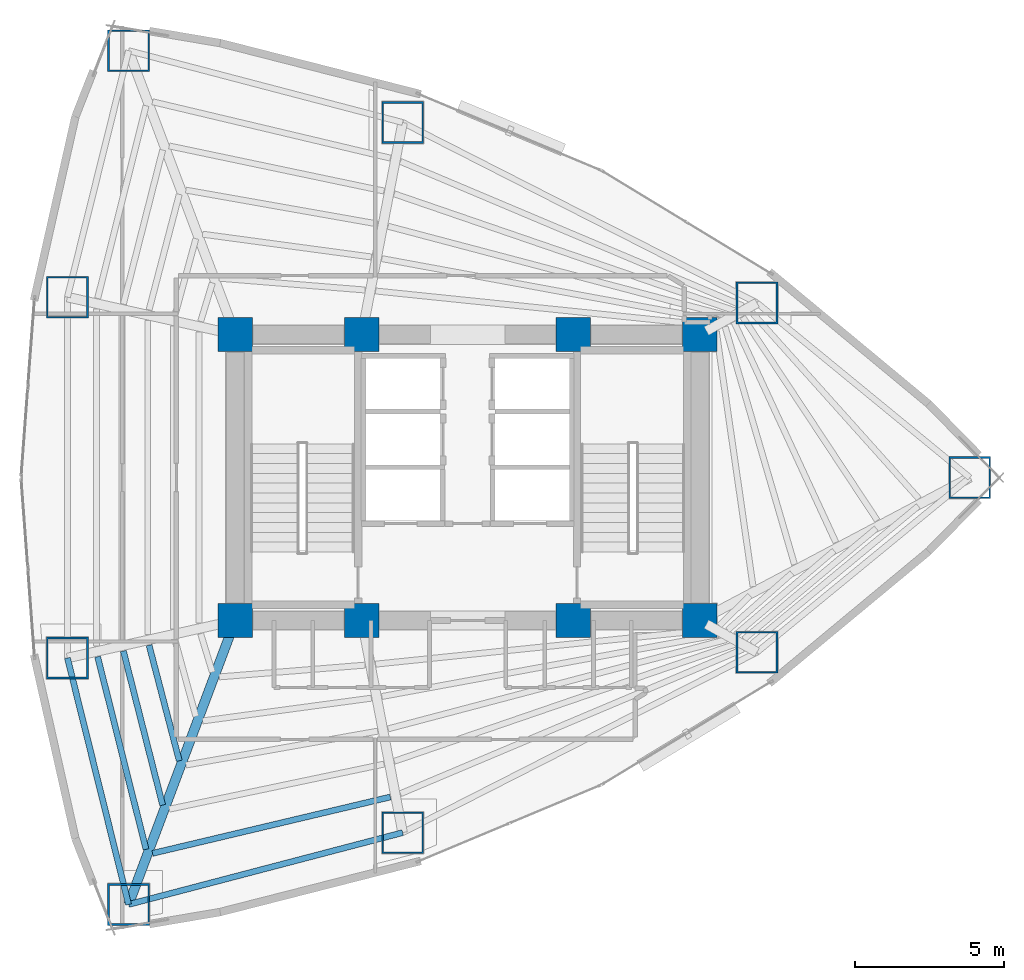
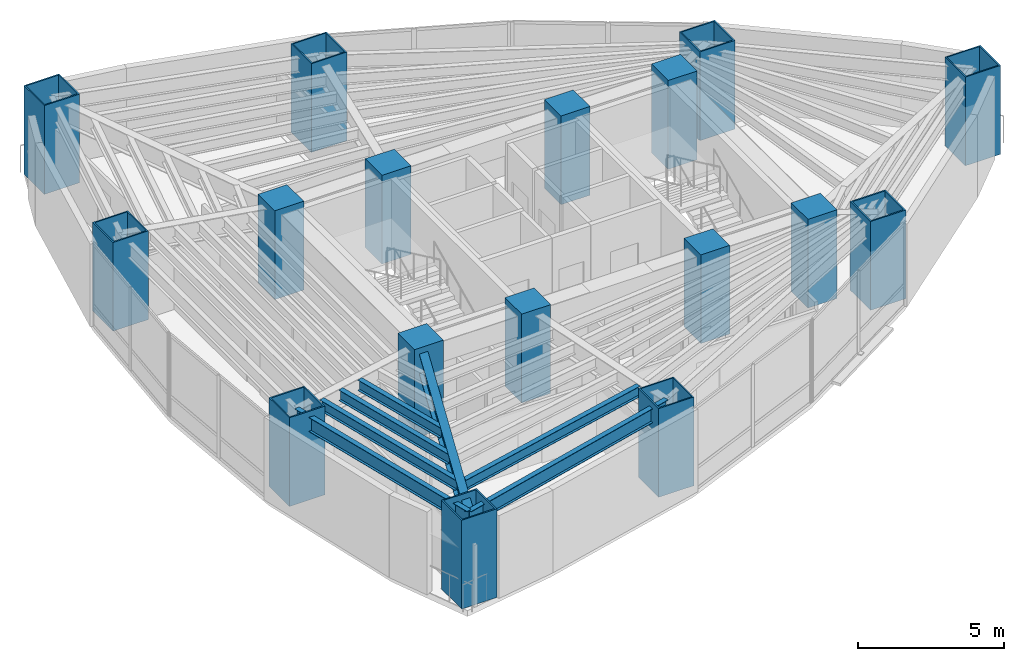
# One storey, part 1 of 17: 17 columns, 7 beams.
"""IFC4 building model written with IfcOpenShell, lengths in metres."""

import ifcopenshell
import ifcopenshell.guid

model = None  # the IFC model being written
_history = None  # IfcOwnerHistory: only IFC2X3 demands one
_inside = {}  # id of a spatial element -> (the spatial element, [elements in it])
_under = {}  # id of a project, library or spatial element -> (it, [spatial elements below it])
_declared = {}  # id of a project -> (the project, [libraries it declares])
_typed = {}  # id of a type object -> (the type object, [elements of that type])
_made_of = {}  # id of a material, layer set ... -> (it, [elements and type objects made of it])


def new_model(schema):
    """Start an empty IFC model of exactly this schema.

    Asked for "IFC4X3", IfcOpenShell would pick the latest addendum, in which some entities
    have other attributes; the version numbers below select the first issue.
    IFC2X3 requires an IfcOwnerHistory on every rooted entity: one is made here for all.
    """
    global model, _history
    if schema == "IFC4X3":
        model = ifcopenshell.file(schema_version=(4, 3, 0, 0))
    else:
        model = ifcopenshell.file(schema=schema)
    _inside.clear()
    _under.clear()
    _declared.clear()
    _typed.clear()
    _made_of.clear()
    _history = None
    if model.schema == "IFC2X3":
        org = make("IfcOrganization", Name="unknown")
        user = make(
            "IfcPersonAndOrganization",
            ThePerson=make("IfcPerson", FamilyName="unknown"),
            TheOrganization=org,
        )
        app = make(
            "IfcApplication",
            ApplicationDeveloper=org,
            Version="unknown",
            ApplicationFullName="unknown",
            ApplicationIdentifier="unknown",
        )
        _history = make(
            "IfcOwnerHistory",
            OwningUser=user,
            OwningApplication=app,
            ChangeAction="ADDED",
            CreationDate=0,
        )
    return model


def make(cls, **values):
    """One entity of the class cls with the attributes given. An attribute that is None is left unset."""
    return model.create_entity(
        cls, **{name: value for name, value in values.items() if value is not None}
    )


def rooted(cls, **values):
    """An entity with a GlobalId (a new one), such as an element, a storey or a relation."""
    return make(cls, GlobalId=ifcopenshell.guid.new(), OwnerHistory=_history, **values)


def si_unit(unit_type, name, prefix=None):
    """IfcSIUnit, for example si_unit("LENGTHUNIT", "METRE", prefix="MILLI")."""
    return make("IfcSIUnit", UnitType=unit_type, Prefix=prefix, Name=name)


def assignment(units):
    """IfcUnitAssignment: the units of a project."""
    return None if units is None else make("IfcUnitAssignment", Units=units)


def point(xyz):
    """IfcCartesianPoint."""
    return None if xyz is None else make("IfcCartesianPoint", Coordinates=xyz)


def direction(xyz):
    """IfcDirection."""
    return None if xyz is None else make("IfcDirection", DirectionRatios=xyz)


def frame(location, z_axis=None, x_axis=None):
    """IfcAxis2Placement3D, a coordinate frame: its origin and axes. An axis left out is left unset."""
    return make(
        "IfcAxis2Placement3D",
        Location=point(location),
        Axis=direction(z_axis),
        RefDirection=direction(x_axis),
    )


def frame_2d(location, x_axis=None):
    """IfcAxis2Placement2D, a coordinate frame in the plane: its origin and x axis."""
    return make(
        "IfcAxis2Placement2D", Location=point(location), RefDirection=direction(x_axis)
    )


def origin():
    """The frame at (0, 0, 0) with its axes left unset."""
    return frame((0.0, 0.0, 0.0))


def origin_2d():
    """The frame at (0, 0) in the plane with its x axis left unset."""
    return frame_2d((0.0, 0.0))


def place(relative_to, where):
    """IfcLocalPlacement: puts the frame where relative to a parent placement (None: the world)."""
    return make(
        "IfcLocalPlacement", PlacementRelTo=relative_to, RelativePlacement=where
    )


def context(
    kind, dimensions, precision=None, world=None, true_north=None, identifier=None
):
    """IfcGeometricRepresentationContext, for example the 3D "Model" context."""
    return make(
        "IfcGeometricRepresentationContext",
        ContextIdentifier=identifier,
        ContextType=kind,
        CoordinateSpaceDimension=dimensions,
        Precision=precision,
        WorldCoordinateSystem=world,
        TrueNorth=true_north,
    )


def subcontext(parent, identifier, kind, view, scale=None):
    """IfcGeometricRepresentationSubContext, for example "Body" below "Model"."""
    return make(
        "IfcGeometricRepresentationSubContext",
        ContextIdentifier=identifier,
        ContextType=kind,
        ParentContext=parent,
        TargetScale=scale,
        TargetView=view,
    )


def project(units=None, contexts=None):
    """IfcProject with its units and contexts."""
    return rooted(
        "IfcProject",
        Name="project",
        RepresentationContexts=contexts,
        UnitsInContext=assignment(units),
    )


def spatial(cls, under=None, at=None, **own):
    """A site, building, storey or space (cls), placed at a placement, below another one or the project."""
    s = rooted(cls, ObjectPlacement=at, **own)
    if under is not None:
        _under.setdefault(under.id(), (under, []))[1].append(s)
    return s


def profile(cls, at=None, kind="AREA", **sizes):
    """A parametric profile (cls). Its sizes go by their IFC names, for example OverallWidth=200.0."""
    return make(cls, ProfileType=kind, Position=at, **sizes)


def rectangle(**sizes):
    """IfcRectangleProfileDef."""
    return profile("IfcRectangleProfileDef", **sizes)


def hollow_rectangle(**sizes):
    """IfcRectangleHollowProfileDef."""
    return profile("IfcRectangleHollowProfileDef", **sizes)


def i_section(**sizes):
    """IfcIShapeProfileDef."""
    return profile("IfcIShapeProfileDef", **sizes)


def extrude(swept, where, along, depth):
    """IfcExtrudedAreaSolid: the profile swept, set in the frame where, extruded along a direction by depth."""
    return make(
        "IfcExtrudedAreaSolid",
        SweptArea=swept,
        Position=where,
        ExtrudedDirection=direction(along),
        Depth=depth,
    )


def shape(context_of_items, identifier, shape_type, items):
    """IfcShapeRepresentation: the items that make up one representation, for example the "Body"."""
    return make(
        "IfcShapeRepresentation",
        ContextOfItems=context_of_items,
        RepresentationIdentifier=identifier,
        RepresentationType=shape_type,
        Items=items,
    )


def material(Name=None, Category=None):
    """IfcMaterial."""
    return make("IfcMaterial", Name=Name, Category=Category)


def material_profile(
    of_material, cross_section, Name=None, Category=None, Priority=None
):
    """IfcMaterialProfile: a cross section and its material."""
    return make(
        "IfcMaterialProfile",
        Name=Name,
        Material=of_material,
        Profile=cross_section,
        Priority=Priority,
        Category=Category,
    )


def profile_set(profiles, Name=None, composite=None):
    """IfcMaterialProfileSet."""
    return make(
        "IfcMaterialProfileSet",
        Name=Name,
        MaterialProfiles=profiles,
        CompositeProfile=composite,
    )


def made_of(thing, what):
    """Note that an element or type object is made of a material, layer set ...; save() writes the relation."""
    if what is not None:
        _made_of.setdefault(what.id(), (what, []))[1].append(thing)
    return thing


def type_object(cls, material=None, **own):
    """A type object (cls), such as IfcWallType, which elements share."""
    return made_of(rooted(cls, **own), material)


def element(
    cls,
    number,
    at=None,
    inside=None,
    cuts=None,
    type_object=None,
    material=None,
    context=None,
    identifier="Body",
    shape_type=None,
    held_by="IfcProductDefinitionShape",
    body=None,
    shapes=None,
    **own,
):
    """One element of the class cls, such as IfcWall. Its Tag is "e" and its number.

    at: its placement. inside: the storey or other place that contains it. cuts: it is an
    opening in that element (IfcRelVoidsElement). A single representation is given by context,
    identifier, shape_type and body (its items); several are given by shapes. held_by: the class
    of the entity that holds the representations. save() writes the other relations.
    """
    e = rooted(cls, Tag="e%d" % number, ObjectPlacement=at, **own)
    if body is not None:
        shapes = [shape(context, identifier, shape_type, body)]
    if shapes is not None:
        e.Representation = make(held_by, Representations=shapes)
    if inside is not None:
        _inside.setdefault(inside.id(), (inside, []))[1].append(e)
    if cuts is not None:
        rooted(
            "IfcRelVoidsElement", RelatingBuildingElement=cuts, RelatedOpeningElement=e
        )
    if type_object is not None:
        _typed.setdefault(type_object.id(), (type_object, []))[1].append(e)
    return made_of(e, material)


def aggregate(whole, parts):
    """IfcRelAggregates: a whole, such as a stair, and the parts it consists of."""
    return rooted("IfcRelAggregates", RelatingObject=whole, RelatedObjects=parts)


def save(model, path):
    """Write the relations noted so far, then the file.

    IfcRelAggregates (storeys below a building ...), IfcRelContainedInSpatialStructure (elements
    in a storey), IfcRelDefinesByType, IfcRelAssociatesMaterial and IfcRelDeclares: one each for
    every whole, place, type object, material and project.
    """
    for whole, parts in _under.values():
        aggregate(whole, parts)
    for where, things in _inside.values():
        rooted(
            "IfcRelContainedInSpatialStructure",
            RelatedElements=things,
            RelatingStructure=where,
        )
    for kind, things in _typed.values():
        rooted("IfcRelDefinesByType", RelatedObjects=things, RelatingType=kind)
    for what, things in _made_of.values():
        rooted("IfcRelAssociatesMaterial", RelatedObjects=things, RelatingMaterial=what)
    for by, libraries in _declared.values():
        rooted("IfcRelDeclares", RelatingContext=by, RelatedDefinitions=libraries)
    model.write(path)


model = new_model("IFC4")

# Units and contexts
model_context = context("Model", 3, precision=1e-05, world=origin(), true_north=direction((0.0, 1.0)))
body_context = subcontext(model_context, "Body", "Model", "MODEL_VIEW")
ifc_project = project(units=[si_unit("LENGTHUNIT", "METRE"), si_unit("AREAUNIT", "SQUARE_METRE"), si_unit("VOLUMEUNIT", "CUBIC_METRE"), si_unit("PLANEANGLEUNIT", "RADIAN"), si_unit("MASSUNIT", "GRAM", prefix="KILO")], contexts=[model_context])

# Site, building, storey
site_placement = place(None, origin())
site = spatial("IfcSite", under=ifc_project, at=site_placement, CompositionType="ELEMENT")
building_placement = place(site_placement, origin())
building = spatial("IfcBuilding", under=site, at=building_placement, Name="Menara Vayukalpa", CompositionType="ELEMENT")
storey_placement = place(building_placement, frame((0.0, 0.0, 38.760009765625)))
storey = spatial("IfcBuildingStorey", under=building, at=storey_placement, Name="L08", CompositionType="ELEMENT", Elevation=38.760009765625)

# Columns
ifc_material_1 = material(Name="Concrete C80/95", Category="concrete")
ifc_material_profile_1 = material_profile(ifc_material_1, rectangle(XDim=1.14990234375, YDim=1.14990234375, at=origin_2d()), Name="RC 1150x1150")
ifc_profile_set_1 = profile_set([ifc_material_profile_1], Name="Concrete C80/95")
column_type_1 = type_object("IfcColumnType", Name="COL-CC1", PredefinedType="COLUMN", material=ifc_profile_set_1)
for number, where, z_axis, x_axis, name in (
    (1, (17.800048828125, 17.199951171875, 0.0), (0.0, 0.0, 1.0), (1.0, 0.0, 0.0), "L08 Core Pilaster Column CC1"),
    (2, (22.050048828125, 17.199951171875, 0.0), (0.0, 0.0, 1.0), (1.0, 0.0, 0.0), "L08 Core Pilaster Column CC2"),
    (3, (29.14990234375, 17.199951171875, 0.0), (0.0, 0.0, 1.0), (1.0, 0.0, 0.0), "L08 Core Pilaster Column CC3"),
    (4, (33.39990234375, 17.199951171875, 0.0), (0.0, 0.0, 1.0), (1.0, 0.0, 0.0), "L08 Core Pilaster Column CC4"),
    (5, (17.800048828125, 26.800048828125, 0.0), (0.0, 0.0, 1.0), (1.0, 0.0, 0.0), "L08 Core Pilaster Column CC5"),
    (6, (22.050048828125, 26.800048828125, 0.0), (0.0, 0.0, 1.0), (1.0, 0.0, 0.0), "L08 Core Pilaster Column CC6"),
    (7, (29.14990234375, 26.800048828125, 0.0), (0.0, 0.0, 1.0), (1.0, 0.0, 0.0), "L08 Core Pilaster Column CC7"),
    (8, (33.39990234375, 26.800048828125, 0.0), (0.0, 0.0, 1.0), (1.0, 0.0, 0.0), "L08 Core Pilaster Column CC8"),
):
    element("IfcColumn", number, at=place(storey_placement, frame(where, z_axis=z_axis, x_axis=x_axis)), inside=storey, type_object=column_type_1, Name=name, PredefinedType="COLUMN", context=body_context, shape_type="SweptSolid", body=[
        extrude(rectangle(XDim=1.14990234375, YDim=1.14990234375, at=origin_2d()), origin(), (0.0, 0.0, 1.0), 3.719970703125),
    ])
ifc_material_2 = material(Name="Steel S460", Category="steel")
ifc_material_profile_2 = material_profile(ifc_material_2, hollow_rectangle(XDim=1.39990234375, YDim=1.39990234375, WallThickness=0.054931640625, at=origin_2d()), Name="BOX 1400x1400x55")
ifc_profile_set_2 = profile_set([ifc_material_profile_2], Name="Steel S460")
column_type_2 = type_object("IfcColumnType", Name="COL-MC1", PredefinedType="COLUMN", material=ifc_profile_set_2)
for number, where, z_axis, x_axis, name in (
    (9, (42.46484375, 22.0, 0.0), (0.0, 0.0, 1.0), (1.0, 0.0, 0.0), "L08 Perimeter Mega Column P01"),
    (10, (35.318115234375, 27.86328125, 0.0), (0.0, 0.0, 1.0), (1.0, 0.0, 0.0), "L08 Perimeter Mega Column P02"),
    (11, (23.41943359375, 33.9228515625, 0.0), (0.0, 0.0, 1.0), (1.0, 0.0, 0.0), "L08 Perimeter Mega Column P03"),
    (12, (14.217529296875, 36.33447265625, 0.0), (0.0, 0.0, 1.0), (1.0, 0.0, 0.0), "L08 Perimeter Mega Column P04"),
    (13, (12.164306640625, 28.0595703125, 0.0), (0.0, 0.0, 1.0), (1.0, 0.0, 0.0), "L08 Perimeter Mega Column P05"),
    (14, (12.164306640625, 15.9404296875, 0.0), (0.0, 0.0, 1.0), (1.0, 0.0, 0.0), "L08 Perimeter Mega Column P06"),
    (15, (14.217529296875, 7.66552734375, 0.0), (0.0, 0.0, 1.0), (1.0, 0.0, 0.0), "L08 Perimeter Mega Column P07"),
    (16, (23.41943359375, 10.0771484375, 0.0), (0.0, 0.0, 1.0), (1.0, 0.0, 0.0), "L08 Perimeter Mega Column P08"),
    (17, (35.318115234375, 16.13671875, 0.0), (0.0, 0.0, 1.0), (1.0, 0.0, 0.0), "L08 Perimeter Mega Column P09"),
):
    element("IfcColumn", number, at=place(storey_placement, frame(where, z_axis=z_axis, x_axis=x_axis)), inside=storey, type_object=column_type_2, Name=name, PredefinedType="COLUMN", context=body_context, shape_type="SweptSolid", body=[
        extrude(hollow_rectangle(XDim=1.39990234375, YDim=1.39990234375, WallThickness=0.054931640625, at=origin_2d()), origin(), (0.0, 0.0, 1.0), 3.719970703125),
    ])

# Beams
ifc_material_3 = material(Name="Steel S355", Category="steel")
ifc_material_profile_3 = material_profile(ifc_material_3, i_section(OverallWidth=0.320068359375, OverallDepth=0.85009765625, WebThickness=0.01611328125, FlangeThickness=0.030029296875, at=origin_2d()), Name="WF 850x320x16x30")
ifc_profile_set_3 = profile_set([ifc_material_profile_3], Name="Steel S355")
beam_type_1 = type_object("IfcBeamType", Name="BM-PG2", PredefinedType="BEAM", material=ifc_profile_set_3)
beam_1_placement = place(storey_placement, frame((17.712158203125, 16.966064453125, 3.044921875), z_axis=(-0.351734656537, -0.93609974436, 0.0), x_axis=(0.93609974436, -0.351734656537, 0.0)))
element("IfcBeam", 18, at=beam_1_placement, inside=storey, type_object=beam_type_1, Name="L08 Primary Radial Girder RG07", PredefinedType="BEAM", context=body_context, shape_type="SweptSolid", body=[
    extrude(i_section(OverallWidth=0.320068359375, OverallDepth=0.85009765625, WebThickness=0.01611328125, FlangeThickness=0.030029296875, at=origin_2d()), origin(), (0.0, 0.0, 1.0), 9.935302734375),
])
ifc_material_4 = material(Name="Steel S355", Category="steel")
ifc_material_profile_4 = material_profile(ifc_material_4, i_section(OverallWidth=0.199951171875, OverallDepth=0.449951171875, WebThickness=0.009033203125, FlangeThickness=0.013916015625, at=origin_2d()), Name="WF 450x200x9x14")
ifc_profile_set_4 = profile_set([ifc_material_profile_4], Name="Steel S355")
beam_type_2 = type_object("IfcBeamType", Name="BM-SJ1", PredefinedType="JOIST", material=ifc_profile_set_4)
beam_2_placement = place(storey_placement, frame((14.905517578125, 16.368896484375, 3.244873046875), z_axis=(0.25283833468, -0.967508540798, 0.0), x_axis=(0.967508540798, 0.25283833468, 0.0)))
element("IfcBeam", 19, at=beam_2_placement, inside=storey, type_object=beam_type_2, Name="L08 Secondary Floor Joist SJ06-3", PredefinedType="JOIST", context=body_context, shape_type="SweptSolid", body=[
    extrude(i_section(OverallWidth=0.199951171875, OverallDepth=0.449951171875, WebThickness=0.009033203125, FlangeThickness=0.013916015625, at=origin_2d()), origin(), (0.0, 0.0, 1.0), 4.00927734375),
])
beam_3_placement = place(storey_placement, frame((14.0419921875, 16.17578125, 3.244873046875), z_axis=(0.247105572938, -0.968988563309, 0.0), x_axis=(0.968988563309, 0.247105572938, 0.0)))
element("IfcBeam", 20, at=beam_3_placement, inside=storey, type_object=beam_type_2, Name="L08 Secondary Floor Joist SJ06-4", PredefinedType="JOIST", context=body_context, shape_type="SweptSolid", body=[
    extrude(i_section(OverallWidth=0.199951171875, OverallDepth=0.449951171875, WebThickness=0.009033203125, FlangeThickness=0.013916015625, at=origin_2d()), origin(), (0.0, 0.0, 1.0), 5.339111328125),
])
beam_4_placement = place(storey_placement, frame((13.1787109375, 15.982666015625, 3.244873046875), z_axis=(0.243517460774, -0.96989651319, 0.0), x_axis=(0.96989651319, 0.243517460774, 0.0)))
element("IfcBeam", 21, at=beam_4_placement, inside=storey, type_object=beam_type_2, Name="L08 Secondary Floor Joist SJ06-5", PredefinedType="JOIST", context=body_context, shape_type="SweptSolid", body=[
    extrude(i_section(OverallWidth=0.199951171875, OverallDepth=0.449951171875, WebThickness=0.009033203125, FlangeThickness=0.013916015625, at=origin_2d()), origin(), (0.0, 0.0, 1.0), 6.6689453125),
])
beam_5_placement = place(storey_placement, frame((15.021728515625, 9.381103515625, 3.244873046875), z_axis=(0.97303971213, 0.23063763487, 0.0), x_axis=(-0.23063763487, 0.97303971213, 0.0)))
element("IfcBeam", 22, at=beam_5_placement, inside=storey, type_object=beam_type_2, Name="L08 Secondary Floor Joist SJ07-5", PredefinedType="JOIST", context=body_context, shape_type="SweptSolid", body=[
    extrude(i_section(OverallWidth=0.199951171875, OverallDepth=0.449951171875, WebThickness=0.009033203125, FlangeThickness=0.013916015625, at=origin_2d()), origin(), (0.0, 0.0, 1.0), 8.205810546875),
])
ifc_material_5 = material(Name="Steel S355", Category="steel")
ifc_material_profile_5 = material_profile(ifc_material_5, i_section(OverallWidth=0.199951171875, OverallDepth=0.60009765625, WebThickness=0.010986328125, FlangeThickness=0.01708984375, at=origin_2d()), Name="WF 600x200x11x17")
ifc_profile_set_5 = profile_set([ifc_material_profile_5], Name="Steel S355")
beam_type_3 = type_object("IfcBeamType", Name="BM-SP1", PredefinedType="SPANDREL", material=ifc_profile_set_5)
beam_6_placement = place(storey_placement, frame((12.164306640625, 15.9404296875, 3.169921875), z_axis=(0.240823860364, -0.970568837476, 0.0), x_axis=(0.970568837476, 0.240823860364, 0.0)))
element("IfcBeam", 23, at=beam_6_placement, inside=storey, type_object=beam_type_3, Name="L08 Perimeter Spandrel Beam SP06", PredefinedType="SPANDREL", context=body_context, shape_type="SweptSolid", body=[
    extrude(i_section(OverallWidth=0.199951171875, OverallDepth=0.60009765625, WebThickness=0.010986328125, FlangeThickness=0.01708984375, at=origin_2d()), origin(), (0.0, 0.0, 1.0), 8.52587890625),
])
beam_7_placement = place(storey_placement, frame((14.217529296875, 7.66552734375, 3.169921875), z_axis=(0.967331024421, 0.253516644802, 0.0), x_axis=(-0.253516644802, 0.967331024421, 0.0)))
element("IfcBeam", 24, at=beam_7_placement, inside=storey, type_object=beam_type_3, Name="L08 Perimeter Spandrel Beam SP07", PredefinedType="SPANDREL", context=body_context, shape_type="SweptSolid", body=[
    extrude(i_section(OverallWidth=0.199951171875, OverallDepth=0.60009765625, WebThickness=0.010986328125, FlangeThickness=0.01708984375, at=origin_2d()), origin(), (0.0, 0.0, 1.0), 9.5126953125),
])

save(model, "model.ifc")
